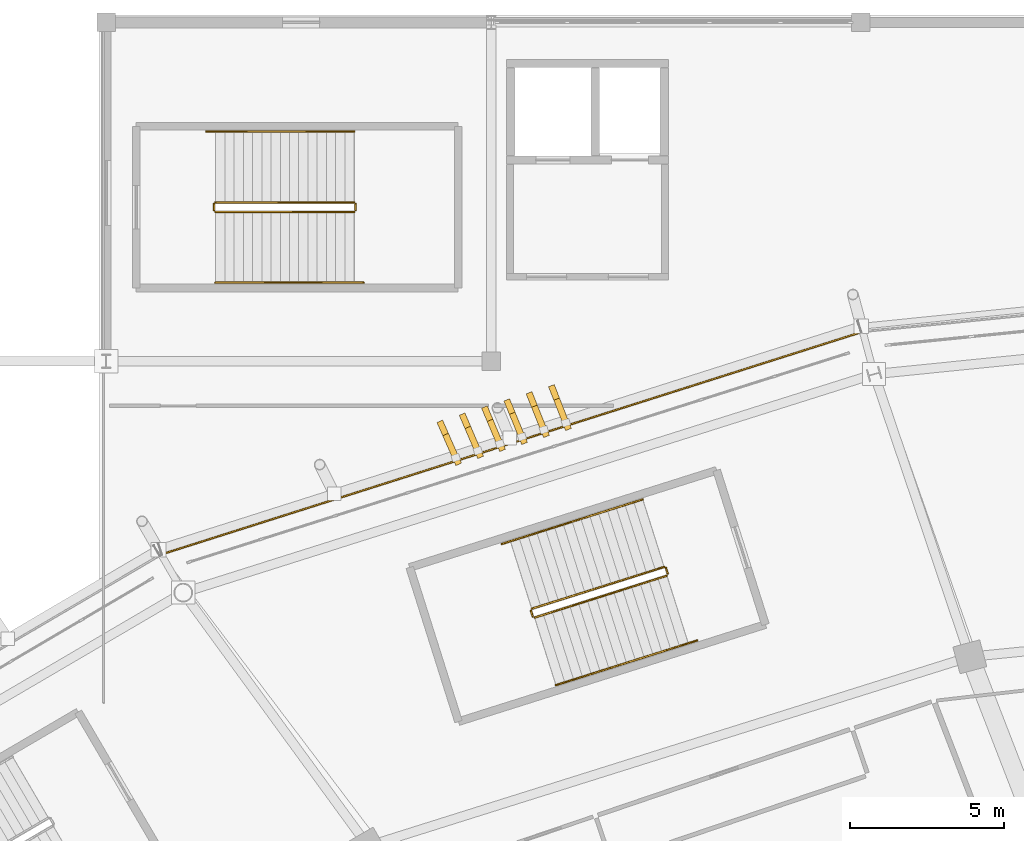
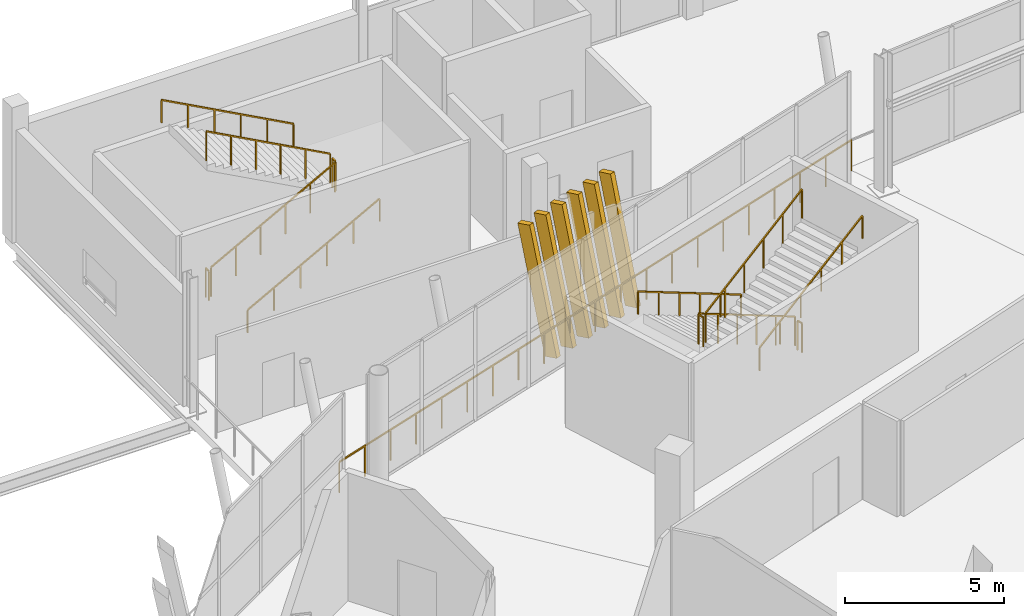
# One storey, part 173 of 178: 13 railings, 6 shading devices.
"""IFC4 building model written with IfcOpenShell, lengths in metres."""

from ifc_helpers import new_model, si_unit, direction, frame, origin, origin_2d, place, context, subcontext, project, spatial, rectangle, extrude, material, material_profile, profile_set, type_object, element, save


model = new_model("IFC4")

# Units and contexts
model_context = context("Model", 3, precision=1e-05, world=origin(), true_north=direction((0.0, 1.0)))
body_context = subcontext(model_context, "Body", "Model", "MODEL_VIEW")
ifc_project = project(units=[si_unit("LENGTHUNIT", "METRE"), si_unit("AREAUNIT", "SQUARE_METRE"), si_unit("VOLUMEUNIT", "CUBIC_METRE"), si_unit("PLANEANGLEUNIT", "RADIAN"), si_unit("MASSUNIT", "GRAM", prefix="KILO")], contexts=[model_context])

# Site, building, storey
site_placement = place(None, origin())
site = spatial("IfcSite", under=ifc_project, at=site_placement, CompositionType="ELEMENT")
building_placement = place(site_placement, origin())
building = spatial("IfcBuilding", under=site, at=building_placement, Name="Zlatoyarsky Gate Stadium", CompositionType="ELEMENT")
storey_placement = place(building_placement, frame((0.0, 0.0, 5.39990234375)))
storey = spatial("IfcBuildingStorey", under=building, at=storey_placement, Name="L01", CompositionType="ELEMENT", Elevation=5.39990234375)

# Railings
ifc_material_1 = material(Name="Powder-coated steel tubular guardrail", Category="steel")
railing_type_1 = type_object("IfcRailingType", Name="CONCOURSE SLAB EDGE GUARDRAIL 1200", PredefinedType="GUARDRAIL", material=ifc_material_1)
railing_1_placement = place(storey_placement, frame((86.56005859375, 149.960693359375, 0.0)))
element("IfcRailing", 1, at=railing_1_placement, inside=storey, type_object=railing_type_1, Name="L01 outer slab edge guardrail 07", PredefinedType="GUARDRAIL", context=body_context, shape_type="SweptSolid", body=[
    extrude(rectangle(XDim=0.048095703125, YDim=0.048095703125, at=origin_2d()), frame((0.0, 0.0, 1.17578125), z_axis=(-0.953052496014, -0.302805118584, 0.0), x_axis=(0.302805118584, -0.953052496014, 0.0)), (0.0, 0.0, 1.0), 23.89599609375),
    extrude(rectangle(XDim=0.0419921875, YDim=0.0419921875, at=origin_2d()), origin(), (0.0, 0.0, 1.0), 1.15185546875),
    extrude(rectangle(XDim=0.0419921875, YDim=0.0419921875, at=origin_2d()), frame((-1.138671875, -0.36181640625, 0.0)), (0.0, 0.0, 1.0), 1.15185546875),
    extrude(rectangle(XDim=0.0419921875, YDim=0.0419921875, at=origin_2d()), frame((-2.27734375, -0.7236328125, 0.0)), (0.0, 0.0, 1.0), 1.15185546875),
    extrude(rectangle(XDim=0.0419921875, YDim=0.0419921875, at=origin_2d()), frame((-3.416015625, -1.08544921875, 0.0)), (0.0, 0.0, 1.0), 1.15185546875),
    extrude(rectangle(XDim=0.0419921875, YDim=0.0419921875, at=origin_2d()), frame((-4.554931640625, -1.447265625, 0.0)), (0.0, 0.0, 1.0), 1.15185546875),
    extrude(rectangle(XDim=0.0419921875, YDim=0.0419921875, at=origin_2d()), frame((-5.693603515625, -1.80908203125, 0.0)), (0.0, 0.0, 1.0), 1.15185546875),
    extrude(rectangle(XDim=0.0419921875, YDim=0.0419921875, at=origin_2d()), frame((-6.832275390625, -2.170654296875, 0.0)), (0.0, 0.0, 1.0), 1.15185546875),
    extrude(rectangle(XDim=0.0419921875, YDim=0.0419921875, at=origin_2d()), frame((-7.970947265625, -2.532470703125, 0.0)), (0.0, 0.0, 1.0), 1.15185546875),
    extrude(rectangle(XDim=0.0419921875, YDim=0.0419921875, at=origin_2d()), frame((-9.109619140625, -2.894287109375, 0.0)), (0.0, 0.0, 1.0), 1.15185546875),
    extrude(rectangle(XDim=0.0419921875, YDim=0.0419921875, at=origin_2d()), frame((-10.248291015625, -3.256103515625, 0.0)), (0.0, 0.0, 1.0), 1.15185546875),
    extrude(rectangle(XDim=0.0419921875, YDim=0.0419921875, at=origin_2d()), frame((-11.38720703125, -3.617919921875, 0.0)), (0.0, 0.0, 1.0), 1.15185546875),
    extrude(rectangle(XDim=0.0419921875, YDim=0.0419921875, at=origin_2d()), frame((-12.52587890625, -3.979736328125, 0.0)), (0.0, 0.0, 1.0), 1.15185546875),
    extrude(rectangle(XDim=0.0419921875, YDim=0.0419921875, at=origin_2d()), frame((-13.66455078125, -4.341552734375, 0.0)), (0.0, 0.0, 1.0), 1.15185546875),
    extrude(rectangle(XDim=0.0419921875, YDim=0.0419921875, at=origin_2d()), frame((-14.80322265625, -4.703369140625, 0.0)), (0.0, 0.0, 1.0), 1.15185546875),
    extrude(rectangle(XDim=0.0419921875, YDim=0.0419921875, at=origin_2d()), frame((-15.94189453125, -5.065185546875, 0.0)), (0.0, 0.0, 1.0), 1.15185546875),
    extrude(rectangle(XDim=0.0419921875, YDim=0.0419921875, at=origin_2d()), frame((-17.08056640625, -5.4267578125, 0.0)), (0.0, 0.0, 1.0), 1.15185546875),
    extrude(rectangle(XDim=0.0419921875, YDim=0.0419921875, at=origin_2d()), frame((-18.21923828125, -5.78857421875, 0.0)), (0.0, 0.0, 1.0), 1.15185546875),
    extrude(rectangle(XDim=0.0419921875, YDim=0.0419921875, at=origin_2d()), frame((-19.358154296875, -6.150390625, 0.0)), (0.0, 0.0, 1.0), 1.15185546875),
    extrude(rectangle(XDim=0.0419921875, YDim=0.0419921875, at=origin_2d()), frame((-20.496826171875, -6.51220703125, 0.0)), (0.0, 0.0, 1.0), 1.15185546875),
    extrude(rectangle(XDim=0.0419921875, YDim=0.0419921875, at=origin_2d()), frame((-21.635498046875, -6.8740234375, 0.0)), (0.0, 0.0, 1.0), 1.15185546875),
    extrude(rectangle(XDim=0.0419921875, YDim=0.0419921875, at=origin_2d()), frame((-22.774169921875, -7.23583984375, 0.0)), (0.0, 0.0, 1.0), 1.15185546875),
])
ifc_material_2 = material(Name="Powder-coated steel stair guardrail", Category="steel")
railing_type_2 = type_object("IfcRailingType", Name="PAINTED STEEL STAIR WELL GUARDRAIL 1150", PredefinedType="GUARDRAIL", material=ifc_material_2)
railing_2_placement = place(storey_placement, frame((80.108642578125, 142.321533203125, 0.16259765625)))
element("IfcRailing", 2, at=railing_2_placement, inside=storey, type_object=railing_type_2, Name="ST-14 L01 stair guard 1", PredefinedType="GUARDRAIL", context=body_context, shape_type="SweptSolid", body=[
    extrude(rectangle(XDim=0.048095703125, YDim=0.048095703125, at=origin_2d()), frame((0.0, 0.0, 1.1259765625), z_axis=(-0.838387862461, -0.265087985872, 0.476271090686), x_axis=(0.301476673217, -0.953473552599, 0.0)), (0.0, 0.0, 1.0), 5.117919921875),
    extrude(rectangle(XDim=0.0419921875, YDim=0.0419921875, at=origin_2d()), origin(), (0.0, 0.0, 1.0), 1.101806640625),
    extrude(rectangle(XDim=0.0419921875, YDim=0.0419921875, at=origin_2d()), frame((-0.858154296875, -0.271240234375, 0.487548828125)), (0.0, 0.0, 1.0), 1.101806640625),
    extrude(rectangle(XDim=0.0419921875, YDim=0.0419921875, at=origin_2d()), frame((-1.71630859375, -0.542724609375, 0.97509765625)), (0.0, 0.0, 1.0), 1.101806640625),
    extrude(rectangle(XDim=0.0419921875, YDim=0.0419921875, at=origin_2d()), frame((-2.574462890625, -0.81396484375, 1.46240234375)), (0.0, 0.0, 1.0), 1.101806640625),
    extrude(rectangle(XDim=0.0419921875, YDim=0.0419921875, at=origin_2d()), frame((-3.4326171875, -1.08544921875, 1.949951171875)), (0.0, 0.0, 1.0), 1.101806640625),
    extrude(rectangle(XDim=0.0419921875, YDim=0.0419921875, at=origin_2d()), frame((-4.290771484375, -1.356689453125, 2.4375)), (0.0, 0.0, 1.0), 1.101806640625),
])
railing_3_placement = place(storey_placement, frame((75.785400390625, 140.902099609375, 2.60009765625)))
element("IfcRailing", 3, at=railing_3_placement, inside=storey, type_object=railing_type_2, Name="ST-14 L01 stair guard 2", PredefinedType="GUARDRAIL", context=body_context, shape_type="SweptSolid", body=[
    extrude(rectangle(XDim=0.048095703125, YDim=0.048095703125, at=origin_2d()), frame((0.0, 0.0, 1.1259765625), z_axis=(0.301540327315, -0.953453423615, 0.0), x_axis=(0.953453423615, 0.301540327315, 0.0)), (0.0, 0.0, 1.0), 0.199951171875),
    extrude(rectangle(XDim=0.0419921875, YDim=0.0419921875, at=origin_2d()), origin(), (0.0, 0.0, 1.0), 1.101806640625),
    extrude(rectangle(XDim=0.0419921875, YDim=0.0419921875, at=origin_2d()), frame((0.060302734375, -0.190673828125, 0.0)), (0.0, 0.0, 1.0), 1.101806640625),
])
railing_4_placement = place(storey_placement, frame((75.908447265625, 140.6787109375, 2.7626953125)))
element("IfcRailing", 4, at=railing_4_placement, inside=storey, type_object=railing_type_2, Name="ST-14 L01 stair guard 3", PredefinedType="GUARDRAIL", context=body_context, shape_type="SweptSolid", body=[
    extrude(rectangle(XDim=0.048095703125, YDim=0.048095703125, at=origin_2d()), frame((0.0, 0.0, 1.1259765625), z_axis=(0.838363085299, 0.26514294003, 0.476284115376), x_axis=(-0.301541590324, 0.953453024173, 0.0)), (0.0, 0.0, 1.0), 5.11767578125),
    extrude(rectangle(XDim=0.0419921875, YDim=0.0419921875, at=origin_2d()), origin(), (0.0, 0.0, 1.0), 1.101806640625),
    extrude(rectangle(XDim=0.0419921875, YDim=0.0419921875, at=origin_2d()), frame((0.858154296875, 0.271484375, 0.487548828125)), (0.0, 0.0, 1.0), 1.101806640625),
    extrude(rectangle(XDim=0.0419921875, YDim=0.0419921875, at=origin_2d()), frame((1.71630859375, 0.542724609375, 0.97509765625)), (0.0, 0.0, 1.0), 1.101806640625),
    extrude(rectangle(XDim=0.0419921875, YDim=0.0419921875, at=origin_2d()), frame((2.57421875, 0.814208984375, 1.46240234375)), (0.0, 0.0, 1.0), 1.101806640625),
    extrude(rectangle(XDim=0.0419921875, YDim=0.0419921875, at=origin_2d()), frame((3.432373046875, 1.08544921875, 1.949951171875)), (0.0, 0.0, 1.0), 1.101806640625),
    extrude(rectangle(XDim=0.0419921875, YDim=0.0419921875, at=origin_2d()), frame((4.29052734375, 1.35693359375, 2.4375)), (0.0, 0.0, 1.0), 1.101806640625),
])
railing_5_placement = place(storey_placement, frame((80.17138671875, 142.2890625, 0.0)))
element("IfcRailing", 5, at=railing_5_placement, inside=storey, type_object=railing_type_2, Name="ST-14 L01 stair guard 4", PredefinedType="GUARDRAIL", context=body_context, shape_type="SweptSolid", body=[
    extrude(rectangle(XDim=0.048095703125, YDim=0.048095703125, at=origin_2d()), frame((0.0, 0.0, 1.1259765625), z_axis=(0.301540327315, -0.953453423615, 0.0), x_axis=(0.953453423615, 0.301540327315, 0.0)), (0.0, 0.0, 1.0), 0.199951171875),
    extrude(rectangle(XDim=0.0419921875, YDim=0.0419921875, at=origin_2d()), origin(), (0.0, 0.0, 1.0), 1.101806640625),
    extrude(rectangle(XDim=0.0419921875, YDim=0.0419921875, at=origin_2d()), frame((0.060302734375, -0.190673828125, 0.0)), (0.0, 0.0, 1.0), 1.101806640625),
])
railing_6_placement = place(storey_placement, frame((65.550048828125, 153.85009765625, 0.16259765625)))
element("IfcRailing", 6, at=railing_6_placement, inside=storey, type_object=railing_type_2, Name="ST-31 L01 stair guard 1", PredefinedType="GUARDRAIL", context=body_context, shape_type="SweptSolid", body=[
    extrude(rectangle(XDim=0.048095703125, YDim=0.048095703125, at=origin_2d()), frame((0.0, 0.0, 1.1259765625), z_axis=(0.879291966537, 0.0, 0.476283148541), x_axis=(0.0, 1.0, 0.0)), (0.0, 0.0, 1.0), 5.11767578125),
    extrude(rectangle(XDim=0.0419921875, YDim=0.0419921875, at=origin_2d()), origin(), (0.0, 0.0, 1.0), 1.101806640625),
    extrude(rectangle(XDim=0.0419921875, YDim=0.0419921875, at=origin_2d()), frame((0.89990234375, 0.0, 0.487548828125)), (0.0, 0.0, 1.0), 1.101806640625),
    extrude(rectangle(XDim=0.0419921875, YDim=0.0419921875, at=origin_2d()), frame((1.800048828125, 0.0, 0.97509765625)), (0.0, 0.0, 1.0), 1.101806640625),
    extrude(rectangle(XDim=0.0419921875, YDim=0.0419921875, at=origin_2d()), frame((2.699951171875, 0.0, 1.46240234375)), (0.0, 0.0, 1.0), 1.101806640625),
    extrude(rectangle(XDim=0.0419921875, YDim=0.0419921875, at=origin_2d()), frame((3.60009765625, 0.0, 1.949951171875)), (0.0, 0.0, 1.0), 1.101806640625),
    extrude(rectangle(XDim=0.0419921875, YDim=0.0419921875, at=origin_2d()), frame((4.5, 0.0, 2.4375)), (0.0, 0.0, 1.0), 1.101806640625),
])
railing_7_placement = place(storey_placement, frame((70.10009765625, 153.89990234375, 2.60009765625)))
element("IfcRailing", 7, at=railing_7_placement, inside=storey, type_object=railing_type_2, Name="ST-31 L01 stair guard 2", PredefinedType="GUARDRAIL", context=body_context, shape_type="SweptSolid", body=[
    extrude(rectangle(XDim=0.048095703125, YDim=0.048095703125, at=origin_2d()), frame((0.0, 0.0, 1.1259765625), z_axis=(0.0, 1.0, 0.0), x_axis=(-1.0, 0.0, 0.0)), (0.0, 0.0, 1.0), 0.2001953125),
    extrude(rectangle(XDim=0.0419921875, YDim=0.0419921875, at=origin_2d()), origin(), (0.0, 0.0, 1.0), 1.101806640625),
    extrude(rectangle(XDim=0.0419921875, YDim=0.0419921875, at=origin_2d()), frame((0.0, 0.2001953125, 0.0)), (0.0, 0.0, 1.0), 1.101806640625),
])
railing_8_placement = place(storey_placement, frame((70.050048828125, 154.14990234375, 2.7626953125)))
element("IfcRailing", 8, at=railing_8_placement, inside=storey, type_object=railing_type_2, Name="ST-31 L01 stair guard 3", PredefinedType="GUARDRAIL", context=body_context, shape_type="SweptSolid", body=[
    extrude(rectangle(XDim=0.048095703125, YDim=0.048095703125, at=origin_2d()), frame((0.0, 0.0, 1.1259765625), z_axis=(-0.879291966537, 0.0, 0.476283148541), x_axis=(0.0, -1.0, 0.0)), (0.0, 0.0, 1.0), 5.11767578125),
    extrude(rectangle(XDim=0.0419921875, YDim=0.0419921875, at=origin_2d()), origin(), (0.0, 0.0, 1.0), 1.101806640625),
    extrude(rectangle(XDim=0.0419921875, YDim=0.0419921875, at=origin_2d()), frame((-0.89990234375, 0.0, 0.487548828125)), (0.0, 0.0, 1.0), 1.101806640625),
    extrude(rectangle(XDim=0.0419921875, YDim=0.0419921875, at=origin_2d()), frame((-1.800048828125, 0.0, 0.97509765625)), (0.0, 0.0, 1.0), 1.101806640625),
    extrude(rectangle(XDim=0.0419921875, YDim=0.0419921875, at=origin_2d()), frame((-2.699951171875, 0.0, 1.46240234375)), (0.0, 0.0, 1.0), 1.101806640625),
    extrude(rectangle(XDim=0.0419921875, YDim=0.0419921875, at=origin_2d()), frame((-3.60009765625, 0.0, 1.949951171875)), (0.0, 0.0, 1.0), 1.101806640625),
    extrude(rectangle(XDim=0.0419921875, YDim=0.0419921875, at=origin_2d()), frame((-4.5, 0.0, 2.4375)), (0.0, 0.0, 1.0), 1.101806640625),
])
railing_9_placement = place(storey_placement, frame((65.5, 153.89990234375, 0.0)))
element("IfcRailing", 9, at=railing_9_placement, inside=storey, type_object=railing_type_2, Name="ST-31 L01 stair guard 4", PredefinedType="GUARDRAIL", context=body_context, shape_type="SweptSolid", body=[
    extrude(rectangle(XDim=0.048095703125, YDim=0.048095703125, at=origin_2d()), frame((0.0, 0.0, 1.1259765625), z_axis=(0.0, 1.0, 0.0), x_axis=(-1.0, 0.0, 0.0)), (0.0, 0.0, 1.0), 0.2001953125),
    extrude(rectangle(XDim=0.0419921875, YDim=0.0419921875, at=origin_2d()), origin(), (0.0, 0.0, 1.0), 1.101806640625),
    extrude(rectangle(XDim=0.0419921875, YDim=0.0419921875, at=origin_2d()), frame((0.0, 0.2001953125, 0.0)), (0.0, 0.0, 1.0), 1.101806640625),
])

# Shading devices
ifc_material_3 = material(Name="Precast concrete C40/50 stone-toned architectural rib", Category="masonry")
ifc_material_profile = material_profile(ifc_material_3, rectangle(XDim=0.199951171875, YDim=0.47998046875, at=origin_2d()), Name="RIB 200X480")
ifc_profile_set = profile_set([ifc_material_profile], Name="Precast concrete C40/50 stone-toned architectural rib")
shading_device_type = type_object("IfcShadingDeviceType", Name="PRECAST FLUTED GATE LOUVRE BLADE 200X480", PredefinedType="SHUTTER", material=ifc_profile_set)
for number, where, z_axis, x_axis, name in (
    (10, (76.921875, 147.002197265625, -0.010009765625), (-0.080186566557, 0.205503516702, 0.975365787367), (-0.93159286034, -0.363503428545, 0.0), "Leaning bowl louvre fin L01-07-1"),
    (11, (76.207275390625, 146.775146484375, -0.010009765625), (-0.081916964572, 0.204792411429, 0.975371559528), (-0.928476690885, -0.371390676354, 0.0), "Leaning bowl louvre fin L01-07-2"),
    (12, (75.492431640625, 146.5478515625, -0.010009765625), (-0.083545172937, 0.204131080283, 0.975372085997), (-0.92548815227, -0.378776556836, 0.0), "Leaning bowl louvre fin L01-07-3"),
    (13, (74.777587890625, 146.32080078125, -0.010009765625), (-0.085224512749, 0.203419463862, 0.975375468294), (-0.92232437715, -0.386416541202, 0.0), "Leaning bowl louvre fin L01-07-4"),
    (14, (74.062744140625, 146.093505859375, -0.010009765625), (-0.086902678707, 0.202755957053, 0.975365544969), (-0.919133099517, -0.393947135251, 0.0), "Leaning bowl louvre fin L01-07-5"),
    (15, (73.34814453125, 145.866455078125, -0.010009765625), (-0.088632823832, 0.201993289674, 0.975368101522), (-0.915722701861, -0.401810817794, 0.0), "Leaning bowl louvre fin L01-07-6"),
):
    element("IfcShadingDevice", number, at=place(storey_placement, frame(where, z_axis=z_axis, x_axis=x_axis)), inside=storey, type_object=shading_device_type, Name=name, PredefinedType="SHUTTER", context=body_context, shape_type="SweptSolid", body=[
        extrude(rectangle(XDim=0.199951171875, YDim=0.47998046875, at=origin_2d()), origin(), (0.0, 0.0, 1.0), 4.79833984375),
    ])

# Railings
ifc_material_4 = material(Name="Brushed stainless steel 316 handrail", Category="steel")
railing_type_3 = type_object("IfcRailingType", Name="STAINLESS STEEL TUBULAR HANDRAIL 900", PredefinedType="HANDRAIL", material=ifc_material_4)
railing_10_placement = place(storey_placement, frame((79.4150390625, 144.5146484375, 0.16650390625)))
element("IfcRailing", 16, at=railing_10_placement, inside=storey, type_object=railing_type_3, Name="ST-14 L01 stair handrail 1", PredefinedType="HANDRAIL", context=body_context, shape_type="SweptSolid", body=[
    extrude(rectangle(XDim=0.048095703125, YDim=0.048095703125, at=origin_2d()), frame((0.0, 0.0, 0.8759765625), z_axis=(-0.838366559486, -0.265114529213, 0.476293815135), x_axis=(0.301511080938, -0.953462672616, 0.0)), (0.0, 0.0, 1.0), 5.458984375),
    extrude(rectangle(XDim=0.0419921875, YDim=0.0419921875, at=origin_2d()), origin(), (0.0, 0.0, 1.0), 0.851806640625),
    extrude(rectangle(XDim=0.0419921875, YDim=0.0419921875, at=origin_2d()), frame((-0.915283203125, -0.28955078125, 0.52001953125)), (0.0, 0.0, 1.0), 0.851806640625),
    extrude(rectangle(XDim=0.0419921875, YDim=0.0419921875, at=origin_2d()), frame((-1.83056640625, -0.578857421875, 1.0400390625)), (0.0, 0.0, 1.0), 0.851806640625),
    extrude(rectangle(XDim=0.0419921875, YDim=0.0419921875, at=origin_2d()), frame((-2.74609375, -0.868408203125, 1.56005859375)), (0.0, 0.0, 1.0), 0.851806640625),
    extrude(rectangle(XDim=0.0419921875, YDim=0.0419921875, at=origin_2d()), frame((-3.661376953125, -1.15771484375, 2.080078125)), (0.0, 0.0, 1.0), 0.851806640625),
    extrude(rectangle(XDim=0.0419921875, YDim=0.0419921875, at=origin_2d()), frame((-4.57666015625, -1.447265625, 2.60009765625)), (0.0, 0.0, 1.0), 0.851806640625),
])
railing_11_placement = place(storey_placement, frame((76.601806640625, 138.48583984375, 2.7666015625)))
element("IfcRailing", 17, at=railing_11_placement, inside=storey, type_object=railing_type_3, Name="ST-14 L01 stair handrail 2", PredefinedType="HANDRAIL", context=body_context, shape_type="SweptSolid", body=[
    extrude(rectangle(XDim=0.048095703125, YDim=0.048095703125, at=origin_2d()), frame((0.0, 0.0, 0.8759765625), z_axis=(0.838366559486, 0.265114529213, 0.476293815135), x_axis=(-0.301511080938, 0.953462672616, 0.0)), (0.0, 0.0, 1.0), 5.458984375),
    extrude(rectangle(XDim=0.0419921875, YDim=0.0419921875, at=origin_2d()), origin(), (0.0, 0.0, 1.0), 0.851806640625),
    extrude(rectangle(XDim=0.0419921875, YDim=0.0419921875, at=origin_2d()), frame((0.915283203125, 0.28955078125, 0.52001953125)), (0.0, 0.0, 1.0), 0.851806640625),
    extrude(rectangle(XDim=0.0419921875, YDim=0.0419921875, at=origin_2d()), frame((1.83056640625, 0.578857421875, 1.0400390625)), (0.0, 0.0, 1.0), 0.851806640625),
    extrude(rectangle(XDim=0.0419921875, YDim=0.0419921875, at=origin_2d()), frame((2.74609375, 0.868408203125, 1.56005859375)), (0.0, 0.0, 1.0), 0.851806640625),
    extrude(rectangle(XDim=0.0419921875, YDim=0.0419921875, at=origin_2d()), frame((3.661376953125, 1.15771484375, 2.080078125)), (0.0, 0.0, 1.0), 0.851806640625),
    extrude(rectangle(XDim=0.0419921875, YDim=0.0419921875, at=origin_2d()), frame((4.57666015625, 1.447265625, 2.60009765625)), (0.0, 0.0, 1.0), 0.851806640625),
])
railing_12_placement = place(storey_placement, frame((65.550048828125, 151.550048828125, 0.16650390625)))
element("IfcRailing", 18, at=railing_12_placement, inside=storey, type_object=railing_type_3, Name="ST-31 L01 stair handrail 1", PredefinedType="HANDRAIL", context=body_context, shape_type="SweptSolid", body=[
    extrude(rectangle(XDim=0.048095703125, YDim=0.048095703125, at=origin_2d()), frame((0.0, 0.0, 0.8759765625), z_axis=(0.879286503747, 0.0, 0.476293233554), x_axis=(0.0, 1.0, 0.0)), (0.0, 0.0, 1.0), 5.458984375),
    extrude(rectangle(XDim=0.0419921875, YDim=0.0419921875, at=origin_2d()), origin(), (0.0, 0.0, 1.0), 0.851806640625),
    extrude(rectangle(XDim=0.0419921875, YDim=0.0419921875, at=origin_2d()), frame((0.9599609375, 0.0, 0.52001953125)), (0.0, 0.0, 1.0), 0.851806640625),
    extrude(rectangle(XDim=0.0419921875, YDim=0.0419921875, at=origin_2d()), frame((1.919921875, 0.0, 1.0400390625)), (0.0, 0.0, 1.0), 0.851806640625),
    extrude(rectangle(XDim=0.0419921875, YDim=0.0419921875, at=origin_2d()), frame((2.880126953125, 0.0, 1.56005859375)), (0.0, 0.0, 1.0), 0.851806640625),
    extrude(rectangle(XDim=0.0419921875, YDim=0.0419921875, at=origin_2d()), frame((3.840087890625, 0.0, 2.080078125)), (0.0, 0.0, 1.0), 0.851806640625),
    extrude(rectangle(XDim=0.0419921875, YDim=0.0419921875, at=origin_2d()), frame((4.800048828125, 0.0, 2.60009765625)), (0.0, 0.0, 1.0), 0.851806640625),
])
railing_13_placement = place(storey_placement, frame((70.050048828125, 156.449951171875, 2.7666015625)))
element("IfcRailing", 19, at=railing_13_placement, inside=storey, type_object=railing_type_3, Name="ST-31 L01 stair handrail 2", PredefinedType="HANDRAIL", context=body_context, shape_type="SweptSolid", body=[
    extrude(rectangle(XDim=0.048095703125, YDim=0.048095703125, at=origin_2d()), frame((0.0, 0.0, 0.8759765625), z_axis=(-0.879286503747, 0.0, 0.476293233554), x_axis=(0.0, -1.0, 0.0)), (0.0, 0.0, 1.0), 5.458984375),
    extrude(rectangle(XDim=0.0419921875, YDim=0.0419921875, at=origin_2d()), origin(), (0.0, 0.0, 1.0), 0.851806640625),
    extrude(rectangle(XDim=0.0419921875, YDim=0.0419921875, at=origin_2d()), frame((-0.9599609375, 0.0, 0.52001953125)), (0.0, 0.0, 1.0), 0.851806640625),
    extrude(rectangle(XDim=0.0419921875, YDim=0.0419921875, at=origin_2d()), frame((-1.919921875, 0.0, 1.0400390625)), (0.0, 0.0, 1.0), 0.851806640625),
    extrude(rectangle(XDim=0.0419921875, YDim=0.0419921875, at=origin_2d()), frame((-2.880126953125, 0.0, 1.56005859375)), (0.0, 0.0, 1.0), 0.851806640625),
    extrude(rectangle(XDim=0.0419921875, YDim=0.0419921875, at=origin_2d()), frame((-3.840087890625, 0.0, 2.080078125)), (0.0, 0.0, 1.0), 0.851806640625),
    extrude(rectangle(XDim=0.0419921875, YDim=0.0419921875, at=origin_2d()), frame((-4.800048828125, 0.0, 2.60009765625)), (0.0, 0.0, 1.0), 0.851806640625),
])

save(model, "model.ifc")
